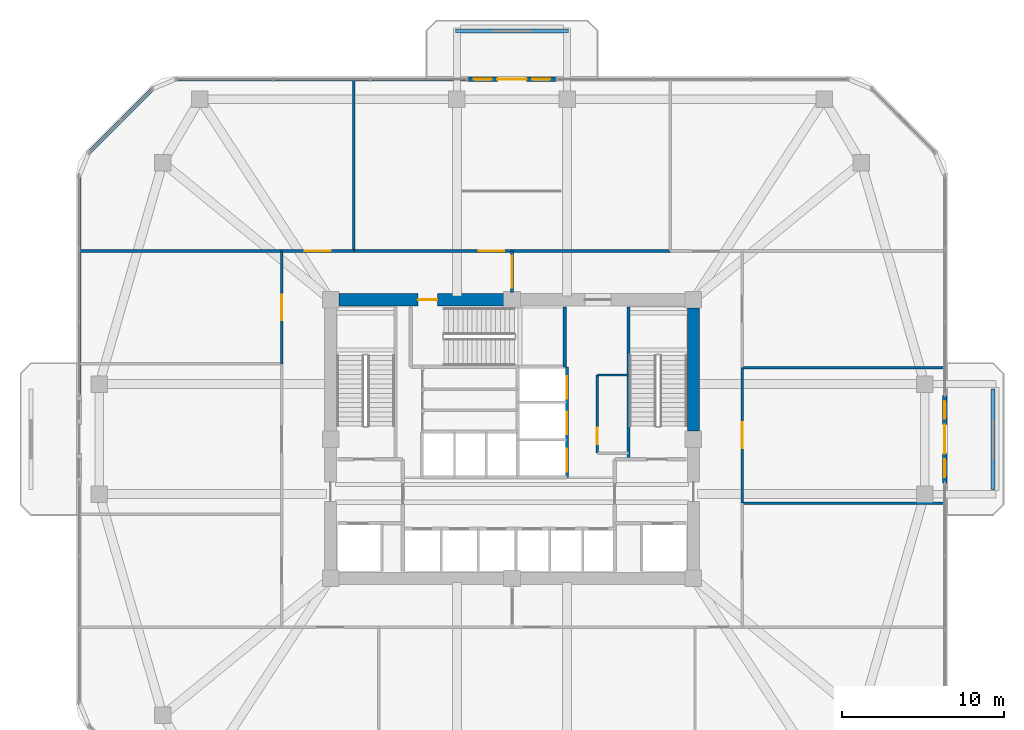
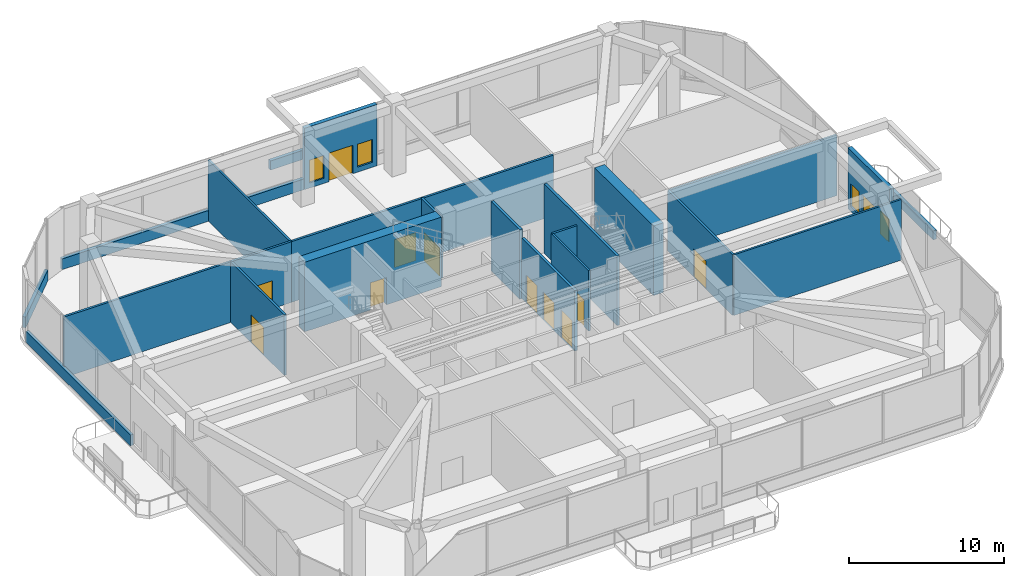
# One storey, part 9 of 13: 23 walls, 12 doors, 4 windows, 16 openings.
"""IFC4 building model written with IfcOpenShell, lengths in metres."""

from ifc_helpers import new_model, si_unit, derived_unit, direction, frame, frame_2d, origin, place, context, subcontext, project, spatial, rectangle, extrude, material, layer, layer_set, type_object, element, fill, save


model = new_model("IFC4")

# Units and contexts
model_context = context("Model", 3, precision=1e-05, world=origin(), true_north=direction((0.0, 1.0)))
body_context = subcontext(model_context, "Body", "Model", "MODEL_VIEW")
ifc_project = project(units=[si_unit("LENGTHUNIT", "METRE"), si_unit("AREAUNIT", "SQUARE_METRE"), si_unit("VOLUMEUNIT", "CUBIC_METRE"), si_unit("PLANEANGLEUNIT", "RADIAN"), si_unit("MASSUNIT", "GRAM", prefix="KILO"), derived_unit("THERMALTRANSMITTANCEUNIT", [(si_unit("POWERUNIT", "WATT"), 1), (si_unit("LENGTHUNIT", "METRE"), -2), (si_unit("THERMODYNAMICTEMPERATUREUNIT", "KELVIN"), -1)])], contexts=[model_context])

# Site, building, storey
site_placement = place(None, origin())
site = spatial("IfcSite", under=ifc_project, at=site_placement, CompositionType="ELEMENT")
building_placement = place(site_placement, origin())
building = spatial("IfcBuilding", under=site, at=building_placement, Name="Koralith Skygarden Medical Center", CompositionType="ELEMENT")
storey_placement = place(building_placement, frame((0.0, 0.0, 75.419921875)))
storey = spatial("IfcBuildingStorey", under=building, at=storey_placement, Name="L19", CompositionType="ELEMENT", Elevation=75.419921875)

# Wall, opening, door
ifc_material_1 = material(Name="Gypsum Board Partition")
ifc_layer_1 = layer(ifc_material_1, 0.14990234375)
ifc_layer_set_1 = layer_set([ifc_layer_1], Name="Gypsum Board Partition")
wall_type_1 = type_object("IfcWallType", Name="Clinical Acoustic Partition 150", PredefinedType="PARTITIONING", material=ifc_layer_set_1)
wall_1_placement = place(storey_placement, frame((42.27001953125, 25.0400390625, 0.0), z_axis=(0.0, 0.0, 1.0), x_axis=(0.0, 1.0, 0.0)))
wall_1 = element("IfcWall", 1, at=wall_1_placement, inside=storey, type_object=wall_type_1, Name="L19 Clinical Acoustic Partition 150 W-CORE-L19-ESUB-W", PredefinedType="PARTITIONING", context=body_context, shape_type="SweptSolid", body=[
    extrude(rectangle(XDim=4.820068359375, YDim=0.14990234375, at=frame_2d((2.41015625, 0.0))), origin(), (0.0, 0.0, 1.0), 4.77001953125),
])
opening_1_placement = place(wall_1_placement, frame((0.550048828125, 0.0, 0.0)))
opening_1 = element("IfcOpeningElement", 2, at=opening_1_placement, cuts=wall_1, Name="Opening D-SUP", PredefinedType="OPENING", context=body_context, shape_type="SweptSolid", body=[
    extrude(rectangle(XDim=1.0, YDim=2.14990234375, at=frame_2d((0.5, 1.074951171875))), frame((0.0, 0.0849609375, 0.0), z_axis=(0.0, -1.0, 0.0), x_axis=(1.0, 0.0, 0.0)), (0.0, 0.0, 1.0), 0.169921875),
])
ifc_material_2 = material(Name="Aluminium 6063-T6", Category="aluminium")
door_type_1 = type_object("IfcDoorType", Name="Clinical Support Door D-SUP 1000", OperationType="NOTDEFINED", PredefinedType="DOOR", material=ifc_material_2)
door_1_placement = place(opening_1_placement, origin())
door_1 = element("IfcDoor", 3, at=door_1_placement, inside=storey, type_object=door_type_1, Name="L19 Core Equipment Store Door", OperationType="SINGLE_SWING_LEFT", OverallHeight=2.14990234375, OverallWidth=1.0, PredefinedType="DOOR", context=body_context, shape_type="SweptSolid", body=[
    extrude(rectangle(XDim=1.0, YDim=2.14990234375, at=frame_2d((0.5, 1.074951171875))), frame((0.0, 0.02490234375, 0.0), z_axis=(0.0, -1.0, 0.0), x_axis=(1.0, 0.0, 0.0)), (0.0, 0.0, 1.0), 0.050048828125),
])
fill(opening_1, door_1)

# Walls
wall_2_placement = place(storey_placement, frame((42.27001953125, 29.860107421875, 0.0), z_axis=(0.0, 0.0, 1.0), x_axis=(1.0, 0.0, 0.0)))
element("IfcWall", 4, at=wall_2_placement, inside=storey, type_object=wall_type_1, Name="L19 Clinical Acoustic Partition 150 W-CORE-L19-ESUB-N", PredefinedType="PARTITIONING", context=body_context, shape_type="SweptSolid", body=[
    extrude(rectangle(XDim=1.929931640625, YDim=0.14990234375, at=frame_2d((0.96484375, 0.0))), origin(), (0.0, 0.0, 1.0), 4.77001953125),
])
wall_3_placement = place(storey_placement, frame((27.241943359375, 37.510009765625, 0.0), z_axis=(0.0, 0.0, 1.0), x_axis=(0.0, 1.0, 0.0)))
element("IfcWall", 5, at=wall_3_placement, inside=storey, type_object=wall_type_1, Name="L19 Clinical Acoustic Partition 150 W-AMPART-L19-N-1", PredefinedType="PARTITIONING", context=body_context, shape_type="SweptSolid", body=[
    extrude(rectangle(XDim=10.590087890625, YDim=0.14990234375, at=frame_2d((5.294921875, 0.0))), origin(), (0.0, 0.0, 1.0), 4.77001953125),
])
for number, where, z_axis, x_axis, name in (
    (6, (51.2099609375, 21.952880859375, 0.0), (0.0, 0.0, 1.0), (1.0, 0.0, 0.0), "L19 Clinical Acoustic Partition 150 W-AMPART-L19-E-1"),
    (7, (51.2099609375, 30.31201171875, 0.0), (0.0, 0.0, 1.0), (1.0, 0.0, 0.0), "L19 Clinical Acoustic Partition 150 W-AMPART-L19-E-2"),
):
    element("IfcWall", number, at=place(storey_placement, frame(where, z_axis=z_axis, x_axis=x_axis)), inside=storey, type_object=wall_type_1, Name=name, PredefinedType="PARTITIONING", context=body_context, shape_type="SweptSolid", body=[
        extrude(rectangle(XDim=12.489990234375, YDim=0.14990234375, at=frame_2d((6.2451171875, 0.0))), origin(), (0.0, 0.0, 1.0), 4.77001953125),
    ])
ifc_layer_2 = layer(ifc_material_1, 0.1650390625)
ifc_layer_set_2 = layer_set([ifc_layer_2], Name="Gypsum Board Partition")
wall_type_2 = type_object("IfcWallType", Name="Clinical Corridor Partition 165", PredefinedType="PARTITIONING", material=ifc_layer_set_2)
wall_4_placement = place(storey_placement, frame((10.300048828125, 37.510009765625, 0.0), z_axis=(0.0, 0.0, 1.0), x_axis=(1.0, 0.0, 0.0)))
element("IfcWall", 8, at=wall_4_placement, inside=storey, type_object=wall_type_2, Name="L19 Clinical Corridor Partition 165 W-WB-L19-NW", PredefinedType="PARTITIONING", context=body_context, shape_type="SweptSolid", body=[
    extrude(rectangle(XDim=12.489990234375, YDim=0.1650390625, at=frame_2d((6.2451171875, 0.0))), origin(), (0.0, 0.0, 1.0), 4.77001953125),
])

# Wall, opening, door
wall_5_placement = place(storey_placement, frame((22.7900390625, 37.510009765625, 0.0), z_axis=(0.0, 0.0, 1.0), x_axis=(1.0, 0.0, 0.0)))
wall_5 = element("IfcWall", 9, at=wall_5_placement, inside=storey, type_object=wall_type_2, Name="L19 Clinical Corridor Partition 165 W-AMCOR-L19-N-1", PredefinedType="PARTITIONING", context=body_context, shape_type="SweptSolid", body=[
    extrude(rectangle(XDim=4.451904296875, YDim=0.1650390625, at=frame_2d((2.22607421875, 0.0))), origin(), (0.0, 0.0, 1.0), 4.77001953125),
])
opening_2_placement = place(wall_5_placement, frame((1.426025390625, 0.0, 0.0)))
opening_2 = element("IfcOpeningElement", 10, at=opening_2_placement, cuts=wall_5, Name="Opening D-DBL", PredefinedType="OPENING", context=body_context, shape_type="SweptSolid", body=[
    extrude(rectangle(XDim=1.60009765625, YDim=2.199951171875, at=frame_2d((0.800048828125, 1.10009765625))), frame((0.0, 0.092529296875, 0.0), z_axis=(0.0, -1.0, 0.0), x_axis=(1.0, 0.0, 0.0)), (0.0, 0.0, 1.0), 0.18505859375),
])
door_type_2 = type_object("IfcDoorType", Name="Double Clinical Suite Door D-DBL 1600", OperationType="NOTDEFINED", PredefinedType="DOOR", material=ifc_material_2)
door_2_placement = place(opening_2_placement, origin())
door_2 = element("IfcDoor", 11, at=door_2_placement, inside=storey, type_object=door_type_2, Name="L19 Sky Lobby Transfer Reception Hall Door", OperationType="DOUBLE_DOOR_SINGLE_SWING", OverallHeight=2.199951171875, OverallWidth=1.60009765625, PredefinedType="DOOR", context=body_context, shape_type="SweptSolid", body=[
    extrude(rectangle(XDim=1.60009765625, YDim=2.199951171875, at=frame_2d((0.800048828125, 1.10009765625))), frame((0.0, 0.02490234375, 0.0), z_axis=(0.0, -1.0, 0.0), x_axis=(1.0, 0.0, 0.0)), (0.0, 0.0, 1.0), 0.050048828125),
])
fill(opening_2, door_2)

wall_6_placement = place(storey_placement, frame((27.241943359375, 37.510009765625, 0.0), z_axis=(0.0, 0.0, 1.0), x_axis=(1.0, 0.0, 0.0)))
wall_6 = element("IfcWall", 12, at=wall_6_placement, inside=storey, type_object=wall_type_2, Name="L19 Clinical Corridor Partition 165 W-AMCOR-L19-N-2", PredefinedType="PARTITIONING", context=body_context, shape_type="SweptSolid", body=[
    extrude(rectangle(XDim=19.51611328125, YDim=0.1650390625, at=frame_2d((9.758056640625, 0.0))), origin(), (0.0, 0.0, 1.0), 4.77001953125),
])
opening_3_placement = place(wall_6_placement, frame((7.69091796875, 0.0, 0.0)))
opening_3 = element("IfcOpeningElement", 13, at=opening_3_placement, cuts=wall_6, Name="Opening D-DBL", PredefinedType="OPENING", context=body_context, shape_type="SweptSolid", body=[
    extrude(rectangle(XDim=1.60009765625, YDim=2.199951171875, at=frame_2d((0.800048828125, 1.10009765625))), frame((0.0, 0.092529296875, 0.0), z_axis=(0.0, -1.0, 0.0), x_axis=(1.0, 0.0, 0.0)), (0.0, 0.0, 1.0), 0.18505859375),
])
door_3_placement = place(opening_3_placement, origin())
door_3 = element("IfcDoor", 14, at=door_3_placement, inside=storey, type_object=door_type_2, Name="L19 Biophilic Sky-Garden Conservatory Lounge Door", OperationType="DOUBLE_DOOR_SINGLE_SWING", OverallHeight=2.199951171875, OverallWidth=1.60009765625, PredefinedType="DOOR", context=body_context, shape_type="SweptSolid", body=[
    extrude(rectangle(XDim=1.60009765625, YDim=2.199951171875, at=frame_2d((0.800048828125, 1.10009765625))), frame((0.0, 0.02490234375, 0.0), z_axis=(0.0, -1.0, 0.0), x_axis=(1.0, 0.0, 0.0)), (0.0, 0.0, 1.0), 0.050048828125),
])
fill(opening_3, door_3)

wall_7_placement = place(storey_placement, frame((22.7900390625, 30.5439453125, 0.0), z_axis=(0.0, 0.0, 1.0), x_axis=(0.0, 1.0, 0.0)))
wall_7 = element("IfcWall", 15, at=wall_7_placement, inside=storey, type_object=wall_type_2, Name="L19 Clinical Corridor Partition 165 W-AMCOR-L19-W-3", PredefinedType="PARTITIONING", context=body_context, shape_type="SweptSolid", body=[
    extrude(rectangle(XDim=6.966064453125, YDim=0.1650390625, at=frame_2d((3.48291015625, 0.0))), origin(), (0.0, 0.0, 1.0), 4.77001953125),
])
opening_4_placement = place(wall_7_placement, frame((2.68310546875, 0.0, 0.0)))
opening_4 = element("IfcOpeningElement", 16, at=opening_4_placement, cuts=wall_7, Name="Opening D-DBL", PredefinedType="OPENING", context=body_context, shape_type="SweptSolid", body=[
    extrude(rectangle(XDim=1.60009765625, YDim=2.199951171875, at=frame_2d((0.800048828125, 1.10009765625))), frame((0.0, 0.092529296875, 0.0), z_axis=(0.0, -1.0, 0.0), x_axis=(1.0, 0.0, 0.0)), (0.0, 0.0, 1.0), 0.18505859375),
])
door_4_placement = place(opening_4_placement, frame((1.60009765625, 0.0, 0.0), z_axis=(0.0, 0.0, 1.0), x_axis=(-1.0, 0.0, 0.0)))
door_4 = element("IfcDoor", 17, at=door_4_placement, inside=storey, type_object=door_type_2, Name="L19 Patient Education Library Office Door", OperationType="DOUBLE_DOOR_SINGLE_SWING", OverallHeight=2.199951171875, OverallWidth=1.60009765625, PredefinedType="DOOR", context=body_context, shape_type="SweptSolid", body=[
    extrude(rectangle(XDim=1.60009765625, YDim=2.199951171875, at=frame_2d((0.800048828125, 1.10009765625))), frame((0.0, 0.02490234375, 0.0), z_axis=(0.0, -1.0, 0.0), x_axis=(1.0, 0.0, 0.0)), (0.0, 0.0, 1.0), 0.050048828125),
])
fill(opening_4, door_4)

wall_8_placement = place(storey_placement, frame((51.2099609375, 21.952880859375, 0.0), z_axis=(0.0, 0.0, 1.0), x_axis=(0.0, 1.0, 0.0)))
wall_8 = element("IfcWall", 18, at=wall_8_placement, inside=storey, type_object=wall_type_2, Name="L19 Clinical Corridor Partition 165 W-AMCOR-L19-E-2", PredefinedType="PARTITIONING", context=body_context, shape_type="SweptSolid", body=[
    extrude(rectangle(XDim=8.359130859375, YDim=0.1650390625, at=frame_2d((4.1796875, 0.0))), origin(), (0.0, 0.0, 1.0), 4.77001953125),
])
opening_5_placement = place(wall_8_placement, frame((3.3798828125, 0.0, 0.0)))
opening_5 = element("IfcOpeningElement", 19, at=opening_5_placement, cuts=wall_8, Name="Opening D-DBL", PredefinedType="OPENING", context=body_context, shape_type="SweptSolid", body=[
    extrude(rectangle(XDim=1.60009765625, YDim=2.199951171875, at=frame_2d((0.800048828125, 1.10009765625))), frame((0.0, 0.092529296875, 0.0), z_axis=(0.0, -1.0, 0.0), x_axis=(1.0, 0.0, 0.0)), (0.0, 0.0, 1.0), 0.18505859375),
])
door_5_placement = place(opening_5_placement, origin())
door_5 = element("IfcDoor", 20, at=door_5_placement, inside=storey, type_object=door_type_2, Name="L19 East Sky-Garden Verandah Lounge Door", OperationType="DOUBLE_DOOR_SINGLE_SWING", OverallHeight=2.199951171875, OverallWidth=1.60009765625, PredefinedType="DOOR", context=body_context, shape_type="SweptSolid", body=[
    extrude(rectangle(XDim=1.60009765625, YDim=2.199951171875, at=frame_2d((0.800048828125, 1.10009765625))), frame((0.0, 0.02490234375, 0.0), z_axis=(0.0, -1.0, 0.0), x_axis=(1.0, 0.0, 0.0)), (0.0, 0.0, 1.0), 0.050048828125),
])
fill(opening_5, door_5)

# Wall, openings, doors
ifc_layer_3 = layer(ifc_material_1, 0.199951171875)
ifc_layer_set_3 = layer_set([ifc_layer_3], Name="Gypsum Board Partition")
wall_type_3 = type_object("IfcWallType", Name="Fire Shaft Wall 200", PredefinedType="SOLIDWALL", material=ifc_layer_set_3)
wall_9_placement = place(storey_placement, frame((40.39990234375, 23.5400390625, 0.0), z_axis=(0.0, 0.0, 1.0), x_axis=(0.0, 1.0, 0.0)))
wall_9 = element("IfcWall", 21, at=wall_9_placement, inside=storey, type_object=wall_type_3, Name="L19 Fire Shaft Wall 200 W-CORE-L19-SV-E", PredefinedType="SOLIDWALL", context=body_context, shape_type="SweptSolid", body=[
    extrude(rectangle(XDim=6.820068359375, YDim=0.199951171875, at=frame_2d((3.41015625, 0.0))), origin(), (0.0, 0.0, 1.0), 4.77001953125),
])
opening_6_placement = place(wall_9_placement, frame((0.35009765625, 0.0, 0.0)))
opening_6 = element("IfcOpeningElement", 22, at=opening_6_placement, cuts=wall_9, Name="Opening LD-SV", PredefinedType="OPENING", context=body_context, shape_type="SweptSolid", body=[
    extrude(rectangle(XDim=1.39990234375, YDim=2.199951171875, at=frame_2d((0.699951171875, 1.10009765625))), frame((0.0, 0.10986328125, 0.0), z_axis=(0.0, -1.0, 0.0), x_axis=(1.0, 0.0, 0.0)), (0.0, 0.0, 1.0), 0.219970703125),
])
opening_7_placement = place(wall_9_placement, frame((2.64990234375, 0.0, 0.0)))
opening_7 = element("IfcOpeningElement", 23, at=opening_7_placement, cuts=wall_9, Name="Opening LD-SV", PredefinedType="OPENING", context=body_context, shape_type="SweptSolid", body=[
    extrude(rectangle(XDim=1.39990234375, YDim=2.199951171875, at=frame_2d((0.699951171875, 1.10009765625))), frame((0.0, 0.10986328125, 0.0), z_axis=(0.0, -1.0, 0.0), x_axis=(1.0, 0.0, 0.0)), (0.0, 0.0, 1.0), 0.219970703125),
])
opening_8_placement = place(wall_9_placement, frame((4.85009765625, 0.0, 0.0)))
opening_8 = element("IfcOpeningElement", 24, at=opening_8_placement, cuts=wall_9, Name="Opening LD-SV", PredefinedType="OPENING", context=body_context, shape_type="SweptSolid", body=[
    extrude(rectangle(XDim=1.39990234375, YDim=2.199951171875, at=frame_2d((0.699951171875, 1.10009765625))), frame((0.0, 0.10986328125, 0.0), z_axis=(0.0, -1.0, 0.0), x_axis=(1.0, 0.0, 0.0)), (0.0, 0.0, 1.0), 0.219970703125),
])
ifc_material_3 = material(Name="Steel ASTM A500 Grade C", Category="steel")
door_type_3 = type_object("IfcDoorType", Name="Bed Lift Sliding Landing Door LD-SV 1400", OperationType="NOTDEFINED", PredefinedType="DOOR", material=ifc_material_3)
door_6_placement = place(opening_6_placement, origin())
door_6 = element("IfcDoor", 25, at=door_6_placement, inside=storey, type_object=door_type_3, Name="L19 Bed Elevator BD1 Landing Door", OperationType="SLIDING_TO_LEFT", OverallHeight=2.199951171875, OverallWidth=1.39990234375, PredefinedType="DOOR", context=body_context, shape_type="SweptSolid", body=[
    extrude(rectangle(XDim=1.39990234375, YDim=2.199951171875, at=frame_2d((0.699951171875, 1.10009765625))), frame((0.0, 0.02490234375, 0.0), z_axis=(0.0, -1.0, 0.0), x_axis=(1.0, 0.0, 0.0)), (0.0, 0.0, 1.0), 0.050048828125),
])
fill(opening_6, door_6)
door_7_placement = place(opening_7_placement, origin())
door_7 = element("IfcDoor", 26, at=door_7_placement, inside=storey, type_object=door_type_3, Name="L19 Service Elevator BD2 Landing Door", OperationType="SLIDING_TO_LEFT", OverallHeight=2.199951171875, OverallWidth=1.39990234375, PredefinedType="DOOR", context=body_context, shape_type="SweptSolid", body=[
    extrude(rectangle(XDim=1.39990234375, YDim=2.199951171875, at=frame_2d((0.699951171875, 1.10009765625))), frame((0.0, 0.02490234375, 0.0), z_axis=(0.0, -1.0, 0.0), x_axis=(1.0, 0.0, 0.0)), (0.0, 0.0, 1.0), 0.050048828125),
])
fill(opening_7, door_7)
door_8_placement = place(opening_8_placement, origin())
door_8 = element("IfcDoor", 27, at=door_8_placement, inside=storey, type_object=door_type_3, Name="L19 Trauma Elevator TR1 Landing Door", OperationType="SLIDING_TO_RIGHT", OverallHeight=2.199951171875, OverallWidth=1.39990234375, PredefinedType="DOOR", context=body_context, shape_type="SweptSolid", body=[
    extrude(rectangle(XDim=1.39990234375, YDim=2.199951171875, at=frame_2d((0.699951171875, 1.10009765625))), frame((0.0, 0.02490234375, 0.0), z_axis=(0.0, -1.0, 0.0), x_axis=(1.0, 0.0, 0.0)), (0.0, 0.0, 1.0), 0.050048828125),
])
fill(opening_8, door_8)

# Wall, opening, door
ifc_layer_4 = layer(ifc_material_1, 0.179931640625)
ifc_layer_set_4 = layer_set([ifc_layer_4], Name="Gypsum Board Partition")
wall_type_4 = type_object("IfcWallType", Name="Group I-2 Smoke Barrier Wall 180", PredefinedType="PARTITIONING", material=ifc_layer_set_4)
wall_10_placement = place(storey_placement, frame((37.0, 34.949951171875, 0.0), z_axis=(0.0, 0.0, 1.0), x_axis=(0.0, 1.0, 0.0)))
wall_10 = element("IfcWall", 28, at=wall_10_placement, inside=storey, type_object=wall_type_4, Name="L19 Group I-2 Smoke Barrier Wall 180 W-SMK-L19-N", PredefinedType="PARTITIONING", context=body_context, shape_type="SweptSolid", body=[
    extrude(rectangle(XDim=2.56005859375, YDim=0.179931640625, at=frame_2d((1.280029296875, 0.0))), origin(), (0.0, 0.0, 1.0), 4.77001953125),
])
opening_9_placement = place(wall_10_placement, frame((0.280029296875, 0.0, 0.0)))
opening_9 = element("IfcOpeningElement", 29, at=opening_9_placement, cuts=wall_10, Name="Opening D-SMK", PredefinedType="OPENING", context=body_context, shape_type="SweptSolid", body=[
    extrude(rectangle(XDim=2.0, YDim=2.199951171875, at=frame_2d((1.0, 1.10009765625))), frame((0.0, 0.099853515625, 0.0), z_axis=(0.0, -1.0, 0.0), x_axis=(1.0, 0.0, 0.0)), (0.0, 0.0, 1.0), 0.199951171875),
])
door_type_4 = type_object("IfcDoorType", Name="Cross-Corridor Double Smoke Door FD60S 2000", OperationType="NOTDEFINED", PredefinedType="DOOR", material=ifc_material_3)
door_9_placement = place(opening_9_placement, origin())
door_9 = element("IfcDoor", 30, at=door_9_placement, inside=storey, type_object=door_type_4, Name="L19 N Smoke Compartment Cross-Corridor Door", OperationType="DOUBLE_DOOR_SINGLE_SWING", OverallHeight=2.199951171875, OverallWidth=2.0, PredefinedType="DOOR", context=body_context, shape_type="SweptSolid", body=[
    extrude(rectangle(XDim=2.0, YDim=2.199951171875, at=frame_2d((1.0, 1.10009765625))), frame((0.0, 0.02490234375, 0.0), z_axis=(0.0, -1.0, 0.0), x_axis=(1.0, 0.0, 0.0)), (0.0, 0.0, 1.0), 0.050048828125),
])
fill(opening_9, door_9)

# Walls
ifc_material_4 = material(Name="Warm Oolitic Limestone Cladding", Category="masonry")
ifc_layer_5 = layer(ifc_material_4, 0.239990234375)
ifc_layer_set_5 = layer_set([ifc_layer_5], Name="Warm Oolitic Limestone Cladding")
wall_type_5 = type_object("IfcWallType", Name="Limestone Spandrel Sill Backup Wall 240", PredefinedType="SOLIDWALL", material=ifc_layer_set_5)
wall_11_placement = place(storey_placement, frame((34.260986328125, 48.1201171875, 0.0), z_axis=(0.0, 0.0, 1.0), x_axis=(-1.0, 0.0, 0.0)))
element("IfcWall", 31, at=wall_11_placement, inside=storey, type_object=wall_type_5, Name="L19 Sill Spandrel N-R", PredefinedType="SOLIDWALL", context=body_context, shape_type="SweptSolid", body=[
    extrude(rectangle(XDim=18.006103515625, YDim=0.239990234375, at=frame_2d((9.0029296875, 0.0))), origin(), (0.0, 0.0, 1.0), 0.85009765625),
])
wall_12_placement = place(storey_placement, frame((14.803955078125, 47.51904296875, 0.0), z_axis=(0.0, 0.0, 1.0), x_axis=(-0.707084777957, -0.707128783731, 0.0)))
element("IfcWall", 32, at=wall_12_placement, inside=storey, type_object=wall_type_5, Name="L19 Sill Spandrel NW", PredefinedType="SOLIDWALL", context=body_context, shape_type="SweptSolid", body=[
    extrude(rectangle(XDim=5.5478515625, YDim=0.239990234375, at=frame_2d((2.77392578125, 0.0))), origin(), (0.0, 0.0, 1.0), 0.85009765625),
])
wall_13_placement = place(storey_placement, frame((10.280029296875, 42.14501953125, 0.0), z_axis=(0.0, 0.0, 1.0), x_axis=(0.0, -1.0, 0.0)))
element("IfcWall", 33, at=wall_13_placement, inside=storey, type_object=wall_type_5, Name="L19 Sill Spandrel W-L", PredefinedType="SOLIDWALL", context=body_context, shape_type="SweptSolid", body=[
    extrude(rectangle(XDim=13.50390625, YDim=0.239990234375, at=frame_2d((6.751953125, 0.0))), origin(), (0.0, 0.0, 1.0), 0.85009765625),
])
ifc_material_5 = material(Name="Concrete C70/85", Category="concrete")
ifc_layer_6 = layer(ifc_material_5, 0.75)
ifc_layer_set_6 = layer_set([ifc_layer_6], Name="Concrete C70/85")
wall_type_6 = type_object("IfcWallType", Name="Mid Core Shear Wall 750", PredefinedType="SHEAR", material=ifc_layer_set_6)
wall_14_placement = place(storey_placement, frame((48.199951171875, 26.405029296875, 0.0), z_axis=(0.0, 0.0, 1.0), x_axis=(0.0, 1.0, 0.0)))
element("IfcWall", 34, at=wall_14_placement, inside=storey, type_object=wall_type_6, Name="L19 Core Shear Wall Segment 4", PredefinedType="SHEAR", context=body_context, shape_type="SweptSolid", body=[
    extrude(rectangle(XDim=7.590087890625, YDim=0.75, at=frame_2d((3.794921875, 0.0))), origin(), (0.0, 0.0, 1.0), 5.47998046875),
])

# Wall, opening, door
wall_15_placement = place(storey_placement, frame((36.4951171875, 34.5, 0.0), z_axis=(0.0, 0.0, 1.0), x_axis=(-1.0, 0.0, 0.0)))
wall_15 = element("IfcWall", 35, at=wall_15_placement, inside=storey, type_object=wall_type_6, Name="L19 Core Shear Wall Segment 6", PredefinedType="SHEAR", context=body_context, shape_type="SweptSolid", body=[
    extrude(rectangle(XDim=10.190185546875, YDim=0.75, at=frame_2d((5.09521484375, 0.0))), origin(), (0.0, 0.0, 1.0), 5.47998046875),
])
opening_10_placement = place(wall_15_placement, frame((4.094970703125, 0.0, 0.0)))
opening_10 = element("IfcOpeningElement", 36, at=opening_10_placement, cuts=wall_15, Name="Opening D-ST60", PredefinedType="OPENING", context=body_context, shape_type="SweptSolid", body=[
    extrude(rectangle(XDim=1.199951171875, YDim=2.14990234375, at=frame_2d((0.60009765625, 1.074951171875))), frame((0.0, 0.385009765625, 0.0), z_axis=(0.0, -1.0, 0.0), x_axis=(1.0, 0.0, 0.0)), (0.0, 0.0, 1.0), 0.77001953125),
])
door_type_5 = type_object("IfcDoorType", Name="Smokeproof Stair Fire Door FD60S 1200", OperationType="NOTDEFINED", PredefinedType="DOOR", material=ifc_material_3)
door_10_placement = place(opening_10_placement, frame((1.199951171875, 0.0, 0.0), z_axis=(0.0, 0.0, 1.0), x_axis=(-1.0, 0.0, 0.0)))
door_10 = element("IfcDoor", 37, at=door_10_placement, inside=storey, type_object=door_type_5, Name="L19 Exit Stair ST3 Fire Door", OperationType="SINGLE_SWING_LEFT", OverallHeight=2.14990234375, OverallWidth=1.199951171875, PredefinedType="DOOR", context=body_context, shape_type="SweptSolid", body=[
    extrude(rectangle(XDim=1.199951171875, YDim=2.14990234375, at=frame_2d((0.60009765625, 1.074951171875))), frame((0.0, 0.02490234375, 0.0), z_axis=(0.0, -1.0, 0.0), x_axis=(1.0, 0.0, 0.0)), (0.0, 0.0, 1.0), 0.050048828125),
])
fill(opening_10, door_10)

# Wall, openings, door, windows
ifc_layer_7 = layer(ifc_material_4, 0.300048828125)
ifc_layer_set_7 = layer_set([ifc_layer_7], Name="Warm Oolitic Limestone Cladding")
wall_type_7 = type_object("IfcWallType", Name="Oolitic Limestone Insulated Facade Wall 300", PredefinedType="SOLIDWALL", material=ifc_layer_set_7)
wall_16_placement = place(storey_placement, frame((63.719970703125, 23.198974609375, 0.0), z_axis=(0.0, 0.0, 1.0), x_axis=(0.0, 1.0, 0.0)))
wall_16 = element("IfcWall", 38, at=wall_16_placement, inside=storey, type_object=wall_type_7, Name="L19 Terrace Portal Wall E", PredefinedType="SOLIDWALL", context=body_context, shape_type="SweptSolid", body=[
    extrude(rectangle(XDim=5.400146484375, YDim=0.300048828125, at=frame_2d((2.7001953125, 0.0))), origin(), (0.0, 0.0, 1.0), 4.830078125),
])
opening_11_placement = place(wall_16_placement, frame((1.800048828125, 0.0, 0.0)))
opening_11 = element("IfcOpeningElement", 39, at=opening_11_placement, cuts=wall_16, Name="Opening D-SG", PredefinedType="OPENING", context=body_context, shape_type="SweptSolid", body=[
    extrude(rectangle(XDim=1.800048828125, YDim=2.25, at=frame_2d((0.89990234375, 1.125))), frame((0.0, 0.159912109375, 0.0), z_axis=(0.0, -1.0, 0.0), x_axis=(1.0, 0.0, 0.0)), (0.0, 0.0, 1.0), 0.320068359375),
])
opening_12_placement = place(wall_16_placement, frame((0.35009765625, 0.0, 0.39990234375)))
opening_12 = element("IfcOpeningElement", 40, at=opening_12_placement, cuts=wall_16, Name="Opening W-04", PredefinedType="OPENING", context=body_context, shape_type="SweptSolid", body=[
    extrude(rectangle(XDim=1.10009765625, YDim=1.800048828125, at=frame_2d((0.550048828125, 0.89990234375))), frame((0.0, 0.159912109375, 0.0), z_axis=(0.0, -1.0, 0.0), x_axis=(1.0, 0.0, 0.0)), (0.0, 0.0, 1.0), 0.320068359375),
])
opening_13_placement = place(wall_16_placement, frame((3.949951171875, 0.0, 0.39990234375)))
opening_13 = element("IfcOpeningElement", 41, at=opening_13_placement, cuts=wall_16, Name="Opening W-04", PredefinedType="OPENING", context=body_context, shape_type="SweptSolid", body=[
    extrude(rectangle(XDim=1.10009765625, YDim=1.800048828125, at=frame_2d((0.550048828125, 0.89990234375))), frame((0.0, 0.159912109375, 0.0), z_axis=(0.0, -1.0, 0.0), x_axis=(1.0, 0.0, 0.0)), (0.0, 0.0, 1.0), 0.320068359375),
])
door_type_6 = type_object("IfcDoorType", Name="Sky-Garden Double Terrace Door D-SG 1800", OperationType="NOTDEFINED", PredefinedType="DOOR", material=ifc_material_2)
door_11_placement = place(opening_11_placement, origin())
door_11 = element("IfcDoor", 42, at=door_11_placement, inside=storey, type_object=door_type_6, Name="L19 E Outdoor Terrace Access Door", OperationType="DOUBLE_DOOR_SINGLE_SWING", OverallHeight=2.25, OverallWidth=1.800048828125, PredefinedType="DOOR", context=body_context, shape_type="SweptSolid", body=[
    extrude(rectangle(XDim=1.800048828125, YDim=2.25, at=frame_2d((0.89990234375, 1.125))), frame((0.0, 0.02490234375, 0.0), z_axis=(0.0, -1.0, 0.0), x_axis=(1.0, 0.0, 0.0)), (0.0, 0.0, 1.0), 0.050048828125),
])
fill(opening_11, door_11)
ifc_material_6 = material(Name="Clear Laminated Glass", Category="glass")
window_type = type_object("IfcWindowType", Name="Sky-Garden Portal Sidelight Window W-04 1100x1800", PartitioningType="SINGLE_PANEL", PredefinedType="WINDOW", material=ifc_material_6)
window_1_placement = place(opening_12_placement, origin())
window_1 = element("IfcWindow", 43, at=window_1_placement, inside=storey, type_object=window_type, Name="L19 E Portal Sidelight 1", OverallHeight=1.800048828125, OverallWidth=1.10009765625, PartitioningType="SINGLE_PANEL", PredefinedType="WINDOW", context=body_context, shape_type="SweptSolid", body=[
    extrude(rectangle(XDim=1.10009765625, YDim=1.800048828125, at=frame_2d((0.550048828125, 0.89990234375))), frame((0.0, 0.030029296875, 0.0), z_axis=(0.0, -1.0, 0.0), x_axis=(1.0, 0.0, 0.0)), (0.0, 0.0, 1.0), 0.06005859375),
])
fill(opening_12, window_1)
window_2_placement = place(opening_13_placement, origin())
window_2 = element("IfcWindow", 44, at=window_2_placement, inside=storey, type_object=window_type, Name="L19 E Portal Sidelight 2", OverallHeight=1.800048828125, OverallWidth=1.10009765625, PartitioningType="SINGLE_PANEL", PredefinedType="WINDOW", context=body_context, shape_type="SweptSolid", body=[
    extrude(rectangle(XDim=1.10009765625, YDim=1.800048828125, at=frame_2d((0.550048828125, 0.89990234375))), frame((0.0, 0.030029296875, 0.0), z_axis=(0.0, -1.0, 0.0), x_axis=(1.0, 0.0, 0.0)), (0.0, 0.0, 1.0), 0.06005859375),
])
fill(opening_13, window_2)

wall_17_placement = place(storey_placement, frame((39.700927734375, 48.1201171875, 0.0), z_axis=(0.0, 0.0, 1.0), x_axis=(-1.0, 0.0, 0.0)))
wall_17 = element("IfcWall", 45, at=wall_17_placement, inside=storey, type_object=wall_type_7, Name="L19 Terrace Portal Wall N", PredefinedType="SOLIDWALL", context=body_context, shape_type="SweptSolid", body=[
    extrude(rectangle(XDim=5.39990234375, YDim=0.300048828125, at=frame_2d((2.699951171875, 0.0))), origin(), (0.0, 0.0, 1.0), 4.830078125),
])
opening_14_placement = place(wall_17_placement, frame((1.800048828125, 0.0, 0.0)))
opening_14 = element("IfcOpeningElement", 46, at=opening_14_placement, cuts=wall_17, Name="Opening D-SG", PredefinedType="OPENING", context=body_context, shape_type="SweptSolid", body=[
    extrude(rectangle(XDim=1.800048828125, YDim=2.25, at=frame_2d((0.89990234375, 1.125))), frame((0.0, 0.159912109375, 0.0), z_axis=(0.0, -1.0, 0.0), x_axis=(1.0, 0.0, 0.0)), (0.0, 0.0, 1.0), 0.320068359375),
])
opening_15_placement = place(wall_17_placement, frame((0.35009765625, 0.0, 0.39990234375)))
opening_15 = element("IfcOpeningElement", 47, at=opening_15_placement, cuts=wall_17, Name="Opening W-04", PredefinedType="OPENING", context=body_context, shape_type="SweptSolid", body=[
    extrude(rectangle(XDim=1.10009765625, YDim=1.800048828125, at=frame_2d((0.550048828125, 0.89990234375))), frame((0.0, 0.159912109375, 0.0), z_axis=(0.0, -1.0, 0.0), x_axis=(1.0, 0.0, 0.0)), (0.0, 0.0, 1.0), 0.320068359375),
])
opening_16_placement = place(wall_17_placement, frame((3.949951171875, 0.0, 0.39990234375)))
opening_16 = element("IfcOpeningElement", 48, at=opening_16_placement, cuts=wall_17, Name="Opening W-04", PredefinedType="OPENING", context=body_context, shape_type="SweptSolid", body=[
    extrude(rectangle(XDim=1.10009765625, YDim=1.800048828125, at=frame_2d((0.550048828125, 0.89990234375))), frame((0.0, 0.159912109375, 0.0), z_axis=(0.0, -1.0, 0.0), x_axis=(1.0, 0.0, 0.0)), (0.0, 0.0, 1.0), 0.320068359375),
])
door_12_placement = place(opening_14_placement, origin())
door_12 = element("IfcDoor", 49, at=door_12_placement, inside=storey, type_object=door_type_6, Name="L19 N Outdoor Terrace Access Door", OperationType="DOUBLE_DOOR_SINGLE_SWING", OverallHeight=2.25, OverallWidth=1.800048828125, PredefinedType="DOOR", context=body_context, shape_type="SweptSolid", body=[
    extrude(rectangle(XDim=1.800048828125, YDim=2.25, at=frame_2d((0.89990234375, 1.125))), frame((0.0, 0.02490234375, 0.0), z_axis=(0.0, -1.0, 0.0), x_axis=(1.0, 0.0, 0.0)), (0.0, 0.0, 1.0), 0.050048828125),
])
fill(opening_14, door_12)
window_3_placement = place(opening_15_placement, origin())
window_3 = element("IfcWindow", 50, at=window_3_placement, inside=storey, type_object=window_type, Name="L19 N Portal Sidelight 1", OverallHeight=1.800048828125, OverallWidth=1.10009765625, PartitioningType="SINGLE_PANEL", PredefinedType="WINDOW", context=body_context, shape_type="SweptSolid", body=[
    extrude(rectangle(XDim=1.10009765625, YDim=1.800048828125, at=frame_2d((0.550048828125, 0.89990234375))), frame((0.0, 0.030029296875, 0.0), z_axis=(0.0, -1.0, 0.0), x_axis=(1.0, 0.0, 0.0)), (0.0, 0.0, 1.0), 0.06005859375),
])
fill(opening_15, window_3)
window_4_placement = place(opening_16_placement, origin())
window_4 = element("IfcWindow", 51, at=window_4_placement, inside=storey, type_object=window_type, Name="L19 N Portal Sidelight 2", OverallHeight=1.800048828125, OverallWidth=1.10009765625, PartitioningType="SINGLE_PANEL", PredefinedType="WINDOW", context=body_context, shape_type="SweptSolid", body=[
    extrude(rectangle(XDim=1.10009765625, YDim=1.800048828125, at=frame_2d((0.550048828125, 0.89990234375))), frame((0.0, 0.030029296875, 0.0), z_axis=(0.0, -1.0, 0.0), x_axis=(1.0, 0.0, 0.0)), (0.0, 0.0, 1.0), 0.06005859375),
])
fill(opening_16, window_4)

# Walls
ifc_material_7 = material(Name="Precast concrete C40/50", Category="concrete")
ifc_layer_8 = layer(ifc_material_7, 0.25)
ifc_layer_set_8 = layer_set([ifc_layer_8], Name="Precast concrete C40/50")
wall_type_8 = type_object("IfcWallType", Name="Structural Concrete Balcony Planter Kerb 250", PredefinedType="PARAPET", material=ifc_layer_set_8)
wall_18_placement = place(storey_placement, frame((33.5, 51.10009765625, 0.0), z_axis=(0.0, 0.0, 1.0), x_axis=(1.0, 0.0, 0.0)))
element("IfcWall", 52, at=wall_18_placement, inside=storey, type_object=wall_type_8, Name="L19 N Structural Tree PLANTER Box", PredefinedType="PARAPET", context=body_context, shape_type="SweptSolid", body=[
    extrude(rectangle(XDim=7.0, YDim=0.25, at=frame_2d((3.5, 0.0))), origin(), (0.0, 0.0, 1.0), 0.719970703125),
])
wall_19_placement = place(storey_placement, frame((66.699951171875, 22.800048828125, 0.0), z_axis=(0.0, 0.0, 1.0), x_axis=(0.0, 1.0, 0.0)))
element("IfcWall", 53, at=wall_19_placement, inside=storey, type_object=wall_type_8, Name="L19 E Structural Tree PLANTER Box", PredefinedType="PARAPET", context=body_context, shape_type="SweptSolid", body=[
    extrude(rectangle(XDim=6.199951171875, YDim=0.25, at=frame_2d((3.10009765625, 0.0))), origin(), (0.0, 0.0, 1.0), 0.719970703125),
])
ifc_material_8 = material(Name="Concrete C45/55", Category="concrete")
ifc_layer_9 = layer(ifc_material_8, 0.199951171875)
ifc_layer_set_9 = layer_set([ifc_layer_9], Name="Concrete C45/55")
wall_type_9 = type_object("IfcWallType", Name="Structural Stair Shaft Wall 200", PredefinedType="SHEAR", material=ifc_layer_set_9)
wall_20_placement = place(storey_placement, frame((44.199951171875, 24.64990234375, 0.0), z_axis=(0.0, 0.0, 1.0), x_axis=(0.0, 1.0, 0.0)))
element("IfcWall", 54, at=wall_20_placement, inside=storey, type_object=wall_type_9, Name="L19 Structural Stair Shaft Wall 200 W-CORE-L19-ST2-W", PredefinedType="SHEAR", context=body_context, shape_type="SweptSolid", body=[
    extrude(rectangle(XDim=9.400146484375, YDim=0.199951171875, at=frame_2d((4.7001953125, 0.0))), origin(), (0.0, 0.0, 1.0), 5.47998046875),
])
wall_21_placement = place(storey_placement, frame((40.25, 30.360107421875, 0.0), z_axis=(0.0, 0.0, 1.0), x_axis=(0.0, 1.0, 0.0)))
element("IfcWall", 55, at=wall_21_placement, inside=storey, type_object=wall_type_9, Name="L19 Structural Stair Shaft Wall 200 W-CORE-L19-ST3-E", PredefinedType="SHEAR", context=body_context, shape_type="SweptSolid", body=[
    extrude(rectangle(XDim=3.68994140625, YDim=0.199951171875, at=frame_2d((1.844970703125, 0.0))), origin(), (0.0, 0.0, 1.0), 5.47998046875),
])

save(model, "model.ifc")
